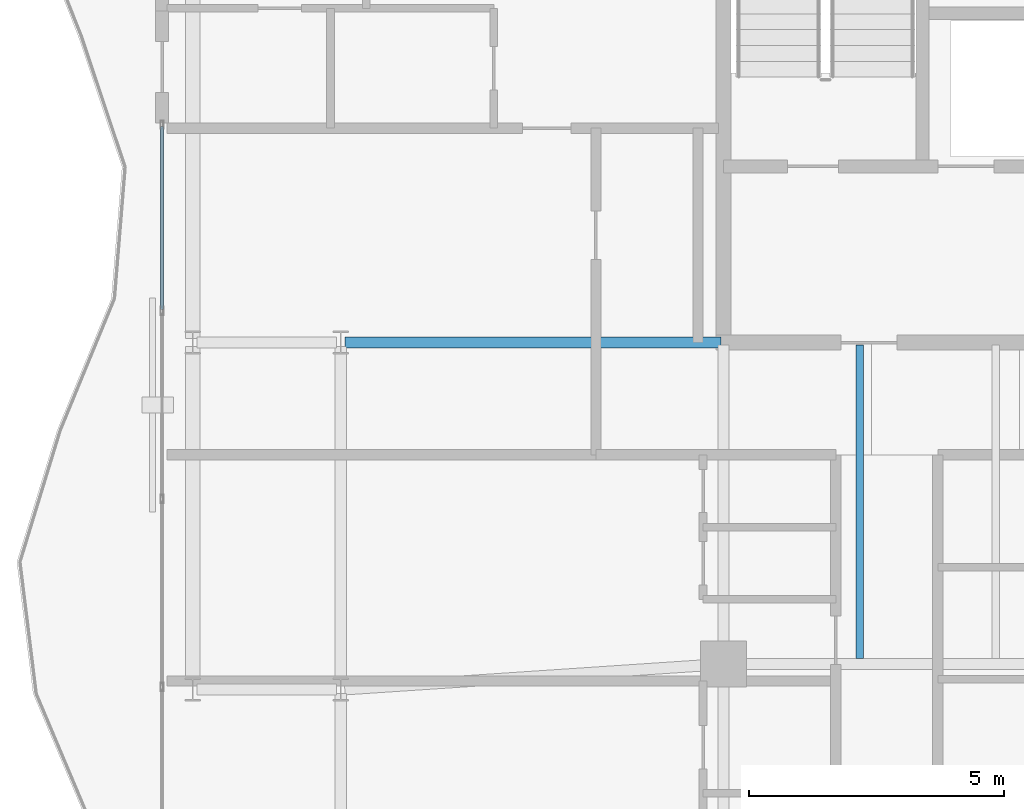
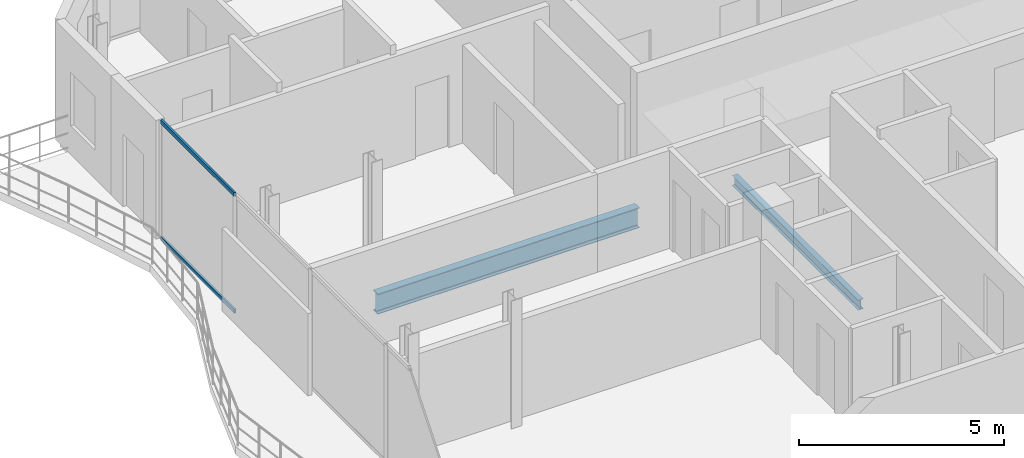
# One storey, part 11 of 24: 2 beams, 2 members, 1 element without a shape of its own.
"""IFC4 building model written with IfcOpenShell, lengths in metres."""

from ifc_helpers import new_model, si_unit, direction, frame, origin, origin_2d, place, context, subcontext, project, spatial, hollow_rectangle, i_section, extrude, material, layer, layer_set, material_profile, profile_set, type_object, element, aggregate, save


model = new_model("IFC4")

# Units and contexts
model_context = context("Model", 3, precision=1e-05, world=origin(), true_north=direction((0.0, 1.0)))
body_context = subcontext(model_context, "Body", "Model", "MODEL_VIEW")
ifc_project = project(units=[si_unit("LENGTHUNIT", "METRE"), si_unit("AREAUNIT", "SQUARE_METRE"), si_unit("VOLUMEUNIT", "CUBIC_METRE"), si_unit("PLANEANGLEUNIT", "RADIAN"), si_unit("MASSUNIT", "GRAM", prefix="KILO")], contexts=[model_context])

# Site, building, storey
site_placement = place(None, origin())
site = spatial("IfcSite", under=ifc_project, at=site_placement, CompositionType="ELEMENT")
building_placement = place(site_placement, origin())
building = spatial("IfcBuilding", under=site, at=building_placement, Name="Catumbela Crestline Tower", CompositionType="ELEMENT")
storey_placement = place(building_placement, frame((0.0, 0.0, 237.4)))
storey = spatial("IfcBuildingStorey", under=building, at=storey_placement, Name="L61", CompositionType="ELEMENT", Elevation=237.4)

# Beams
ifc_material_1 = material(Name="Structural steel S355J2", Category="steel")
ifc_material_profile_1 = material_profile(ifc_material_1, i_section(OverallWidth=0.22, OverallDepth=0.6, WebThickness=0.012, FlangeThickness=0.019, FilletRadius=0.024, at=origin_2d()), Name="IPE 600")
ifc_profile_set_1 = profile_set([ifc_material_profile_1], Name="Structural steel S355J2")
beam_type_1 = type_object("IfcBeamType", Name="BG-IPE600", PredefinedType="BEAM", material=ifc_profile_set_1)
beam_1_placement = place(storey_placement, frame((8.58, 30.8, -0.56), z_axis=(1.0, 0.0, 0.0), x_axis=(0.0, 1.0, 0.0)))
element("IfcBeam", 1, at=beam_1_placement, inside=storey, type_object=beam_type_1, Name="L61 Beam BM-L61-M07", PredefinedType="BEAM", context=body_context, shape_type="SweptSolid", body=[
    extrude(i_section(OverallWidth=0.22, OverallDepth=0.6, WebThickness=0.012, FlangeThickness=0.019, FilletRadius=0.024, at=origin_2d()), origin(), (0.0, 0.0, 1.0), 7.37),
])
ifc_material_profile_2 = material_profile(ifc_material_1, i_section(OverallWidth=0.15, OverallDepth=0.3, WebThickness=0.0071, FlangeThickness=0.0107, FilletRadius=0.015, at=origin_2d()), Name="IPE 300")
ifc_profile_set_2 = profile_set([ifc_material_profile_2], Name="Structural steel S355J2")
beam_type_2 = type_object("IfcBeamType", Name="BJ-IPE300", PredefinedType="JOIST", material=ifc_profile_set_2)
beam_2_placement = place(storey_placement, frame((18.667, 24.61, -0.41), z_axis=(0.0, 1.0, 0.0), x_axis=(-1.0, 0.0, 0.0)))
element("IfcBeam", 2, at=beam_2_placement, inside=storey, type_object=beam_type_2, Name="L61 Joist JS-L61-SP21", PredefinedType="JOIST", context=body_context, shape_type="SweptSolid", body=[
    extrude(i_section(OverallWidth=0.15, OverallDepth=0.3, WebThickness=0.0071, FlangeThickness=0.0107, FilletRadius=0.015, at=origin_2d()), origin(), (0.0, 0.0, 1.0), 6.14),
])

# Curtain wall, members
ifc_material_2 = material(Name="Aluminium alloy AW-6060-T66", Category="aluminium")
ifc_layer = layer(ifc_material_2, 0.18, Name="Aluminium alloy AW-6060-T66")
ifc_layer_set = layer_set([ifc_layer], Name="Aluminium alloy AW-6060-T66")
curtain_wall_type = type_object("IfcCurtainWallType", Name="CWU-Z4", PredefinedType="USERDEFINED", material=ifc_layer_set)
curtain_wall_placement = place(storey_placement, origin())
curtain_wall = element("IfcCurtainWall", 3, at=curtain_wall_placement, inside=storey, type_object=curtain_wall_type, Name="L61 Unitised Curtain Wall CW-L61-E9S2", ObjectType="UNITISED", PredefinedType="USERDEFINED")
ifc_material_profile_3 = material_profile(ifc_material_2, hollow_rectangle(XDim=0.06, YDim=0.12, WallThickness=0.0035, at=origin_2d()), Name="ALU 120x60x3.5")
ifc_profile_set_3 = profile_set([ifc_material_profile_3], Name="Aluminium alloy AW-6060-T66")
member_type = type_object("IfcMemberType", Name="TRN-120X60", PredefinedType="USERDEFINED", material=ifc_profile_set_3)
member_1_placement = place(storey_placement, frame((5.0, 35.035, 0.03), z_axis=(0.0, -1.0, 0.0), x_axis=(1.0, 0.0, 0.0)))
member_1 = element("IfcMember", 4, at=member_1_placement, type_object=member_type, Name="CWU-Z4 transom 1.1", ObjectType="TRANSOM", PredefinedType="USERDEFINED", context=body_context, shape_type="SweptSolid", body=[
    extrude(hollow_rectangle(XDim=0.06, YDim=0.12, WallThickness=0.0035, at=origin_2d()), origin(), (0.0, 0.0, 1.0), 3.5858),
])
member_2_placement = place(storey_placement, frame((5.0, 35.035, 3.5), z_axis=(0.0, -1.0, 0.0), x_axis=(1.0, 0.0, 0.0)))
member_2 = element("IfcMember", 5, at=member_2_placement, type_object=member_type, Name="CWU-Z4 transom 1.2", ObjectType="TRANSOM", PredefinedType="USERDEFINED", context=body_context, shape_type="SweptSolid", body=[
    extrude(hollow_rectangle(XDim=0.06, YDim=0.12, WallThickness=0.0035, at=origin_2d()), origin(), (0.0, 0.0, 1.0), 3.5858),
])
aggregate(curtain_wall, [member_1, member_2])

save(model, "model.ifc")
